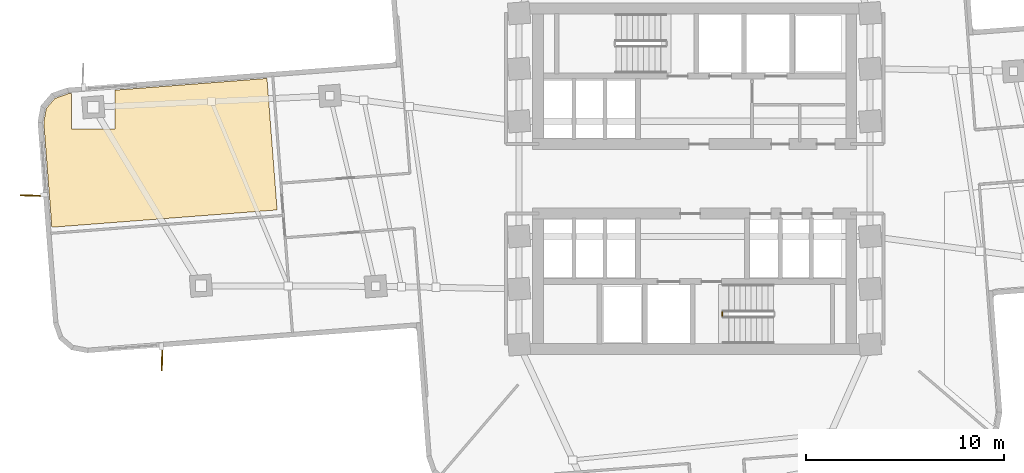
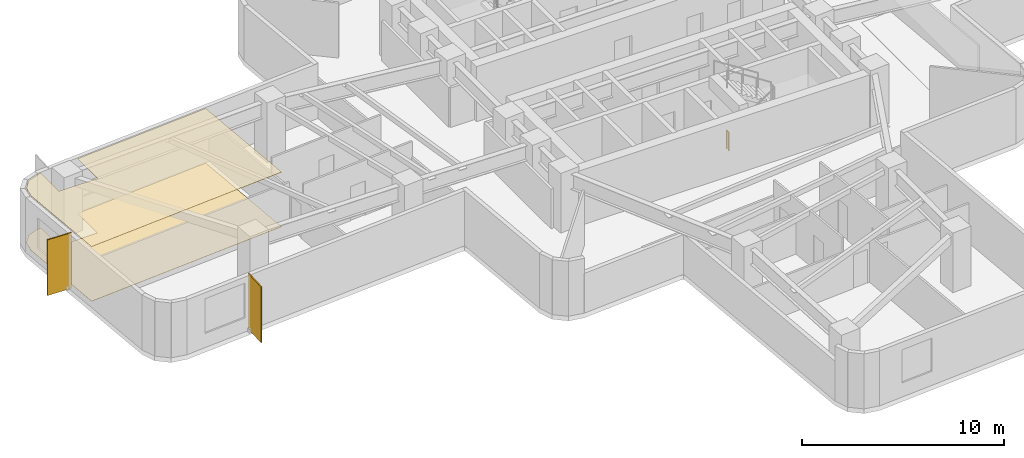
# One storey, part 7 of 10: 2 coverings, 2 shading devices, 1 railing.
"""IFC4 building model written with IfcOpenShell, lengths in metres."""

from ifc_helpers import new_model, si_unit, direction, frame, origin, origin_2d, place, context, subcontext, project, spatial, polyline, rectangle, circle, outline, extrude, material, layer, layer_set, type_object, element, save


model = new_model("IFC4")

# Units and contexts
model_context = context("Model", 3, precision=1e-05, world=origin(), true_north=direction((0.0, 1.0)))
body_context = subcontext(model_context, "Body", "Model", "MODEL_VIEW")
ifc_project = project(units=[si_unit("LENGTHUNIT", "METRE"), si_unit("AREAUNIT", "SQUARE_METRE"), si_unit("VOLUMEUNIT", "CUBIC_METRE"), si_unit("PLANEANGLEUNIT", "RADIAN"), si_unit("MASSUNIT", "GRAM", prefix="KILO")], contexts=[model_context])

# Site, building, storey
site_placement = place(None, origin())
site = spatial("IfcSite", under=ifc_project, at=site_placement, CompositionType="ELEMENT")
building_placement = place(site_placement, origin())
building = spatial("IfcBuilding", under=site, at=building_placement, Name="Solmarez Civic Tower", CompositionType="ELEMENT")
storey_placement = place(building_placement, frame((0.0, 0.0, 56.8798828125)))
storey = spatial("IfcBuildingStorey", under=building, at=storey_placement, Name="L14", CompositionType="ELEMENT", Elevation=56.8798828125)

# Coverings
ifc_material_1 = material(Name="Perforated Mineral-Fibre Acoustic Ceiling")
ifc_layer_1 = layer(ifc_material_1, 0.02490234375)
ifc_layer_set_1 = layer_set([ifc_layer_1], Name="Perforated Mineral-Fibre Acoustic Ceiling")
covering_type_1 = type_object("IfcCoveringType", Name="COV-CEIL-ACOUSTIC", PredefinedType="CEILING", material=ifc_layer_set_1)
covering_1_placement = place(storey_placement, frame((0.0, 0.0, 3.295166015625)))
element("IfcCovering", 1, at=covering_1_placement, inside=storey, type_object=covering_type_1, Name="L14 Suspended Acoustic Ceiling 2", PredefinedType="CEILING", context=body_context, shape_type="SweptSolid", body=[
    extrude(outline(polyline([(-21.56103515625, 5.06103515625), (-29.218017578125, 4.471923828125), (-29.218017578125, 2.509033203125), (-31.41796875, 2.509033203125), (-31.41796875, 4.302978515625), (-31.58203125, 4.2900390625), (-32.25, 4.053955078125), (-32.68603515625, 3.548095703125), (-32.81494140625, 2.85107421875), (-32.408935546875, -2.444091796875), (-21.051025390625, -1.570068359375), (-21.56103515625, 5.06103515625)])), origin(), (0.0, 0.0, 1.0), 0.02490234375),
])
ifc_material_2 = material(Name="Polished Tropical Stone Terrazzo Flooring", Category="masonry")
ifc_layer_2 = layer(ifc_material_2, 0.02001953125)
ifc_layer_set_2 = layer_set([ifc_layer_2], Name="Polished Tropical Stone Terrazzo Flooring")
covering_type_2 = type_object("IfcCoveringType", Name="COV-FLOOR-TERRAZZO", PredefinedType="FLOORING", material=ifc_layer_set_2)
covering_2_placement = place(storey_placement, origin())
element("IfcCovering", 2, at=covering_2_placement, inside=storey, type_object=covering_type_2, Name="L14 Terrazzo Floor Finish 2", PredefinedType="FLOORING", context=body_context, shape_type="SweptSolid", body=[
    extrude(outline(polyline([(-21.56103515625, 5.06103515625), (-29.218017578125, 4.471923828125), (-29.218017578125, 2.509033203125), (-31.41796875, 2.509033203125), (-31.41796875, 4.302978515625), (-31.58203125, 4.2900390625), (-32.25, 4.053955078125), (-32.68603515625, 3.548095703125), (-32.81494140625, 2.85107421875), (-32.408935546875, -2.444091796875), (-21.051025390625, -1.570068359375), (-21.56103515625, 5.06103515625)])), origin(), (0.0, 0.0, 1.0), 0.02001953125),
])

# Shading devices
ifc_material_3 = material(Name="Bronze Anodised Aluminium EN AW-6063 T6", Category="aluminium")
ifc_layer_3 = layer(ifc_material_3, 0.06494140625)
ifc_layer_set_3 = layer_set([ifc_layer_3], Name="Bronze Anodised Aluminium EN AW-6063 T6")
shading_device_type = type_object("IfcShadingDeviceType", Name="FIN-BRONZE-Z12", PredefinedType="USERDEFINED", material=ifc_layer_set_3)
for number, where, z_axis, x_axis, name in (
    (3, (-26.847900390625, -8.991943359375, -0.0400390625), (0.0, 0.0, 1.0), (-0.032876077948, -0.999459435644, 0.0), "L14 Anodised Bronze Solar Fin FIN-L14-01"),
    (4, (-33.337890625, -0.84912109375, -0.0400390625), (0.0, 0.0, 1.0), (-0.999460009288, 0.032858634085, 0.0), "L14 Anodised Bronze Solar Fin FIN-L14-02"),
):
    element("IfcShadingDevice", number, at=place(storey_placement, frame(where, z_axis=z_axis, x_axis=x_axis)), inside=storey, type_object=shading_device_type, Name=name, ObjectType="FIN", PredefinedType="USERDEFINED", context=body_context, shape_type="SweptSolid", body=[
        extrude(rectangle(XDim=1.35009765625, YDim=0.06494140625, at=origin_2d()), origin(), (0.0, 0.0, 1.0), 3.360107421875),
    ])

# Railing
ifc_material_4 = material(Name="Painted Steel Stairwell Safety Guard", Category="steel")
railing_type = type_object("IfcRailingType", Name="GUARD-STAIR-1120", PredefinedType="BALUSTRADE", material=ifc_material_4)
railing_placement = place(storey_placement, frame((1.39990234375, -6.919921875, 0.0)))
element("IfcRailing", 5, at=railing_placement, inside=storey, type_object=railing_type, Name="L14 ST-2 stair guard 4", PredefinedType="BALUSTRADE", context=body_context, shape_type="SweptSolid", body=[
    extrude(circle(Radius=0.02392578125, at=origin_2d()), frame((0.0, 0.0, 1.09619140625), z_axis=(0.0, 1.0, 0.0), x_axis=(-1.0, 0.0, 0.0)), (0.0, 0.0, 1.0), 0.199951171875),
    extrude(circle(Radius=0.02099609375, at=origin_2d()), origin(), (0.0, 0.0, 1.0), 1.072021484375),
    extrude(circle(Radius=0.02099609375, at=origin_2d()), frame((0.0, 0.199951171875, 0.0)), (0.0, 0.0, 1.0), 1.072021484375),
])

save(model, "model.ifc")
